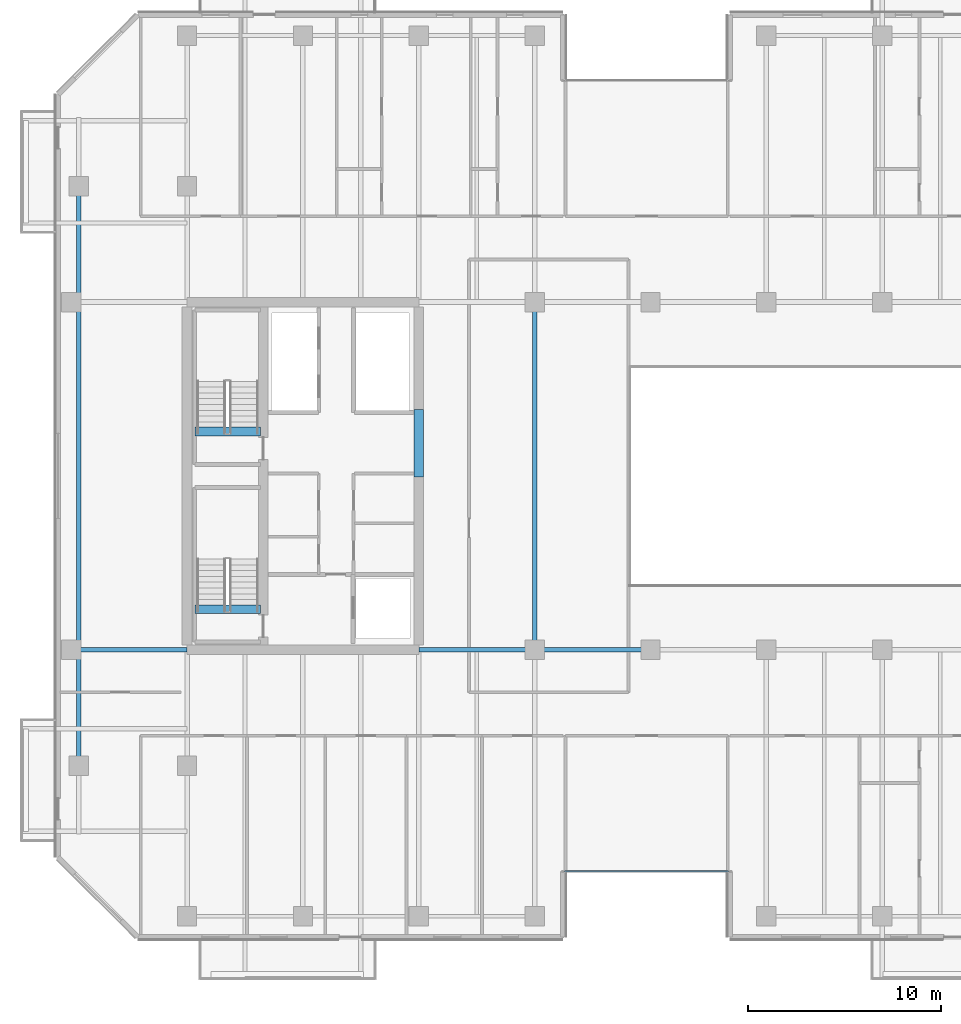
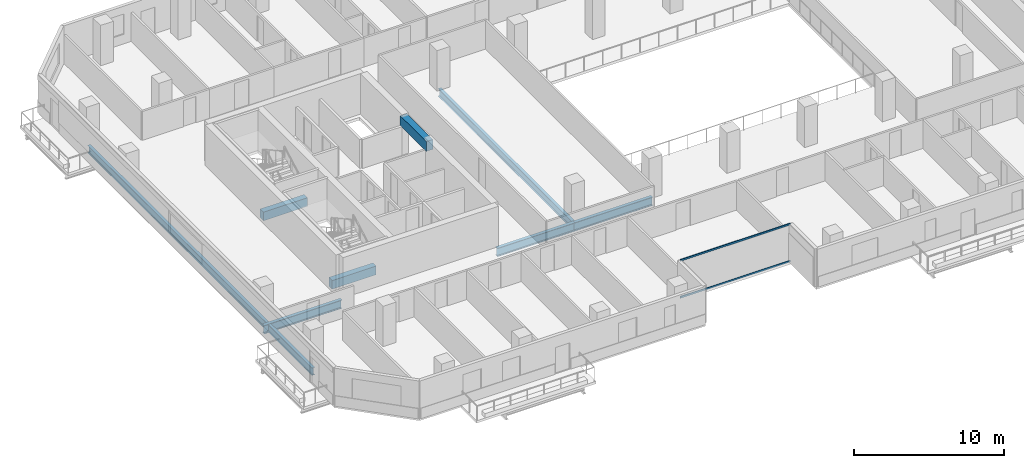
# One storey, part 3 of 23: 8 beams, 2 members, 1 element without a shape of its own.
"""IFC4 building model written with IfcOpenShell, lengths in metres."""

from ifc_helpers import new_model, si_unit, direction, frame, origin, origin_2d, place, context, subcontext, project, spatial, rectangle, hollow_rectangle, i_section, extrude, material, layer, layer_set, material_profile, profile_set, type_object, element, aggregate, save


model = new_model("IFC4")

# Units and contexts
model_context = context("Model", 3, precision=1e-05, world=origin(), true_north=direction((0.0, 1.0)))
body_context = subcontext(model_context, "Body", "Model", "MODEL_VIEW")
ifc_project = project(units=[si_unit("LENGTHUNIT", "METRE"), si_unit("AREAUNIT", "SQUARE_METRE"), si_unit("VOLUMEUNIT", "CUBIC_METRE"), si_unit("PLANEANGLEUNIT", "RADIAN"), si_unit("MASSUNIT", "GRAM", prefix="KILO")], contexts=[model_context])

# Site, building, storey
site_placement = place(None, origin())
site = spatial("IfcSite", under=ifc_project, at=site_placement, CompositionType="ELEMENT")
building_placement = place(site_placement, origin())
building = spatial("IfcBuilding", under=site, at=building_placement, Name="Tanjung Sevakor Pilgrim Tower", CompositionType="ELEMENT")
storey_placement = place(building_placement, frame((0.0, 0.0, 101.969970703125)))
storey = spatial("IfcBuildingStorey", under=building, at=storey_placement, Name="L28", CompositionType="ELEMENT", Elevation=101.969970703125)

# Beams
ifc_material_1 = material(Name="Steel S355J2", Category="steel")
ifc_material_profile_1 = material_profile(ifc_material_1, i_section(OverallWidth=0.25439453125, OverallDepth=0.6875, WebThickness=0.01318359375, FlangeThickness=0.02099609375, FilletRadius=0.01513671875, at=origin_2d()))
ifc_profile_set_1 = profile_set([ifc_material_profile_1], Name="Steel S355J2")
beam_type_1 = type_object("IfcBeamType", Name="BM-B-G2-UB_686x254x152", PredefinedType="BEAM", material=ifc_profile_set_1)
for number, where, z_axis, x_axis, name in (
    (1, (18.0, 24.60009765625, -0.563720703125), (1.0, 0.0, 0.0), (0.0, 1.0, 0.0), "L28 Primary Floor Girder MAIN Y246-01"),
    (2, (36.0, 24.60009765625, -0.563720703125), (1.0, 0.0, 0.0), (0.0, 1.0, 0.0), "L28 Primary Floor Girder MAIN Y246-02"),
    (3, (42.0, 24.60009765625, -0.563720703125), (1.0, 0.0, 0.0), (0.0, 1.0, 0.0), "L28 Primary Floor Girder MAIN Y246-03"),
):
    element("IfcBeam", number, at=place(storey_placement, frame(where, z_axis=z_axis, x_axis=x_axis)), inside=storey, type_object=beam_type_1, Name=name, PredefinedType="BEAM", context=body_context, shape_type="SweptSolid", body=[
        extrude(i_section(OverallWidth=0.25439453125, OverallDepth=0.6875, WebThickness=0.01318359375, FlangeThickness=0.02099609375, FilletRadius=0.01513671875, at=origin_2d()), origin(), (0.0, 0.0, 1.0), 6.0),
    ])
ifc_material_2 = material(Name="Steel S355J2", Category="steel")
ifc_material_profile_2 = material_profile(ifc_material_2, i_section(OverallWidth=0.230224609375, OverallDepth=0.6171875, WebThickness=0.01318359375, FlangeThickness=0.022216796875, FilletRadius=0.0126953125, at=origin_2d()))
ifc_profile_set_2 = profile_set([ifc_material_profile_2], Name="Steel S355J2")
beam_type_2 = type_object("IfcBeamType", Name="BM-B-G3-UB_610x229x140", PredefinedType="BEAM", material=ifc_profile_set_2)
beam_1_placement = place(storey_placement, frame((42.0, 24.60009765625, -0.528564453125), z_axis=(0.0, 1.0, 0.0), x_axis=(-1.0, 0.0, 0.0)))
element("IfcBeam", 4, at=beam_1_placement, inside=storey, type_object=beam_type_2, Name="L28 MAIN Girder 010", PredefinedType="BEAM", context=body_context, shape_type="SweptSolid", body=[
    extrude(i_section(OverallWidth=0.230224609375, OverallDepth=0.6171875, WebThickness=0.01318359375, FlangeThickness=0.022216796875, FilletRadius=0.0126953125, at=origin_2d()), origin(), (0.0, 0.0, 1.0), 18.0),
])
ifc_material_3 = material(Name="Steel S355J2", Category="steel")
ifc_material_profile_3 = material_profile(ifc_material_3, i_section(OverallWidth=0.22900390625, OverallDepth=0.6123046875, WebThickness=0.011962890625, FlangeThickness=0.01953125, FilletRadius=0.0126953125, at=origin_2d()))
ifc_profile_set_3 = profile_set([ifc_material_profile_3], Name="Steel S355J2")
beam_type_3 = type_object("IfcBeamType", Name="BM-B-G4-UB_610x229x125", PredefinedType="BEAM", material=ifc_profile_set_3)
beam_2_placement = place(storey_placement, frame((18.39990234375, 18.60009765625, -0.526123046875), z_axis=(0.0, 1.0, 0.0), x_axis=(-1.0, 0.0, 0.0)))
element("IfcBeam", 5, at=beam_2_placement, inside=storey, type_object=beam_type_3, Name="L28 Short-End Edge Girder W", PredefinedType="BEAM", context=body_context, shape_type="SweptSolid", body=[
    extrude(i_section(OverallWidth=0.22900390625, OverallDepth=0.6123046875, WebThickness=0.011962890625, FlangeThickness=0.01953125, FilletRadius=0.0126953125, at=origin_2d()), origin(), (0.0, 0.0, 1.0), 30.0),
])
ifc_material_4 = material(Name="Concrete C60/75", Category="concrete")
ifc_material_profile_4 = material_profile(ifc_material_4, rectangle(XDim=0.5, YDim=0.800048828125, at=origin_2d()))
ifc_profile_set_4 = profile_set([ifc_material_profile_4], Name="Concrete C60/75")
beam_type_4 = type_object("IfcBeamType", Name="BM-B-LN2-RC-BM_500x800", PredefinedType="LINTEL", material=ifc_profile_set_4)
beam_3_placement = place(storey_placement, frame((36.0, 33.550048828125, 2.679931640625), z_axis=(0.0, 1.0, 0.0), x_axis=(-1.0, 0.0, 0.0)))
element("IfcBeam", 6, at=beam_3_placement, inside=storey, type_object=beam_type_4, Name="L28 W Core Coupling Lintel", PredefinedType="LINTEL", context=body_context, shape_type="SweptSolid", body=[
    extrude(rectangle(XDim=0.5, YDim=0.800048828125, at=origin_2d()), origin(), (0.0, 0.0, 1.0), 3.5),
])
ifc_material_5 = material(Name="Concrete C60/75", Category="concrete")
ifc_material_profile_5 = material_profile(ifc_material_5, rectangle(XDim=0.449951171875, YDim=0.699951171875, at=origin_2d()))
ifc_profile_set_5 = profile_set([ifc_material_profile_5], Name="Concrete C60/75")
beam_type_5 = type_object("IfcBeamType", Name="BM-B-LN3-RC-BM_450x700", PredefinedType="LINTEL", material=ifc_profile_set_5)
for number, where, z_axis, x_axis, name in (
    (7, (24.39990234375, 26.699951171875, -0.349853515625), (1.0, 0.0, 0.0), (0.0, 1.0, 0.0), "L28 TS-W1 Stair Threshold Beam"),
    (8, (24.39990234375, 35.89990234375, -0.349853515625), (1.0, 0.0, 0.0), (0.0, 1.0, 0.0), "L28 TS-W2 Stair Threshold Beam"),
):
    element("IfcBeam", number, at=place(storey_placement, frame(where, z_axis=z_axis, x_axis=x_axis)), inside=storey, type_object=beam_type_5, Name=name, PredefinedType="LINTEL", context=body_context, shape_type="SweptSolid", body=[
        extrude(rectangle(XDim=0.449951171875, YDim=0.699951171875, at=origin_2d()), origin(), (0.0, 0.0, 1.0), 3.400146484375),
    ])

# Curtain wall, members
ifc_material_6 = material(Name="Aluminium 6063-T6 and Low-E Glass", Category="aluminium")
ifc_layer = layer(ifc_material_6, 0.179931640625)
ifc_layer_set = layer_set([ifc_layer], Name="CW-SYS-CLEFT")
curtain_wall_type = type_object("IfcCurtainWallType", Name="CW-SYS-CLEFT", PredefinedType="NOTDEFINED", material=ifc_layer_set)
curtain_wall_placement = place(storey_placement, origin())
curtain_wall = element("IfcCurtainWall", 9, at=curtain_wall_placement, inside=storey, type_object=curtain_wall_type, Name="L28 Curtain Wall CW-CLF-L28-2", PredefinedType="NOTDEFINED")
ifc_material_7 = material(Name="Aluminium 6063-T6", Category="aluminium")
ifc_material_profile_6 = material_profile(ifc_material_7, hollow_rectangle(XDim=0.06494140625, YDim=0.139892578125, WallThickness=0.00390625, at=origin_2d()))
ifc_profile_set_6 = profile_set([ifc_material_profile_6], Name="Aluminium 6063-T6")
member_type = type_object("IfcMemberType", Name="TYPE-CWT-1", PredefinedType="USERDEFINED", material=ifc_profile_set_6)
member_1_placement = place(storey_placement, frame((43.550048828125, 13.125, 0.032470703125), z_axis=(1.0, 0.0, 0.0), x_axis=(0.0, 1.0, 0.0)))
member_1 = element("IfcMember", 10, at=member_1_placement, type_object=member_type, Name="CW-CLF transom 1.1", ObjectType="TRANSOM", PredefinedType="USERDEFINED", context=body_context, shape_type="SweptSolid", body=[
    extrude(hollow_rectangle(XDim=0.06494140625, YDim=0.139892578125, WallThickness=0.00390625, at=origin_2d()), origin(), (0.0, 0.0, 1.0), 8.5),
])
member_2_placement = place(storey_placement, frame((43.550048828125, 13.125, 3.047607421875), z_axis=(1.0, 0.0, 0.0), x_axis=(0.0, 1.0, 0.0)))
member_2 = element("IfcMember", 11, at=member_2_placement, type_object=member_type, Name="CW-CLF transom 1.2", ObjectType="TRANSOM", PredefinedType="USERDEFINED", context=body_context, shape_type="SweptSolid", body=[
    extrude(hollow_rectangle(XDim=0.06494140625, YDim=0.139892578125, WallThickness=0.00390625, at=origin_2d()), origin(), (0.0, 0.0, 1.0), 8.5),
])
aggregate(curtain_wall, [member_1, member_2])

save(model, "model.ifc")
